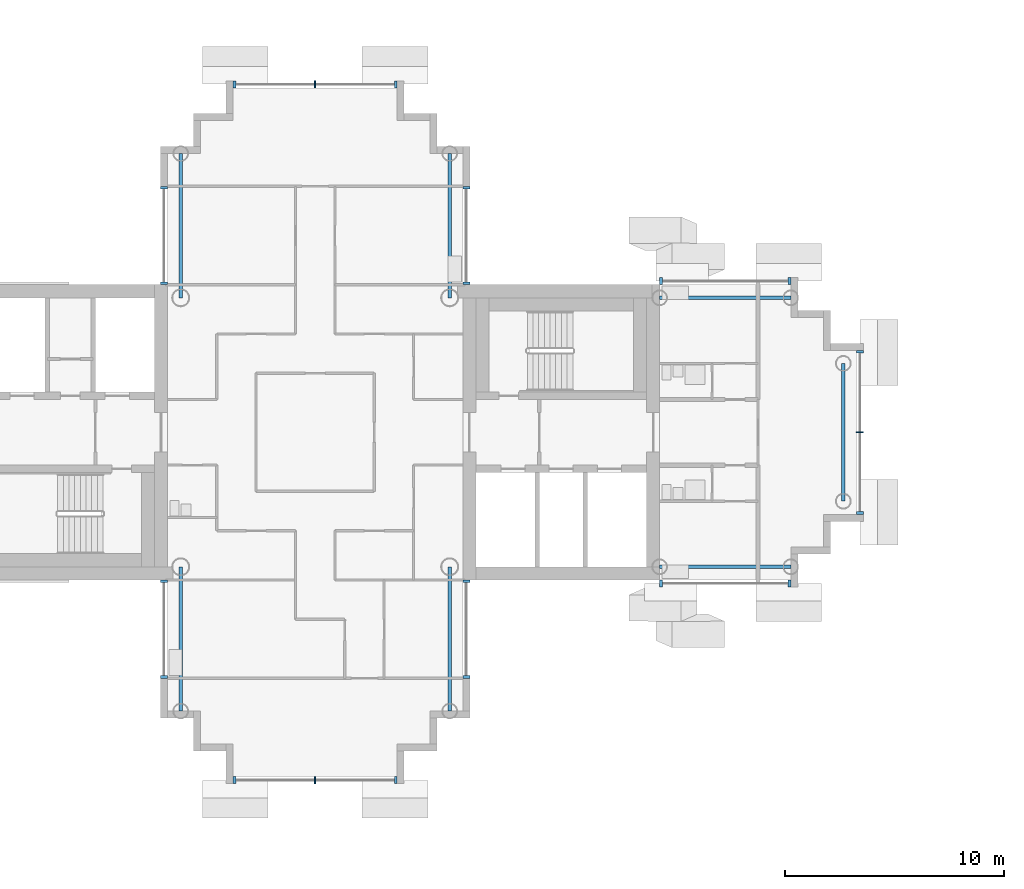
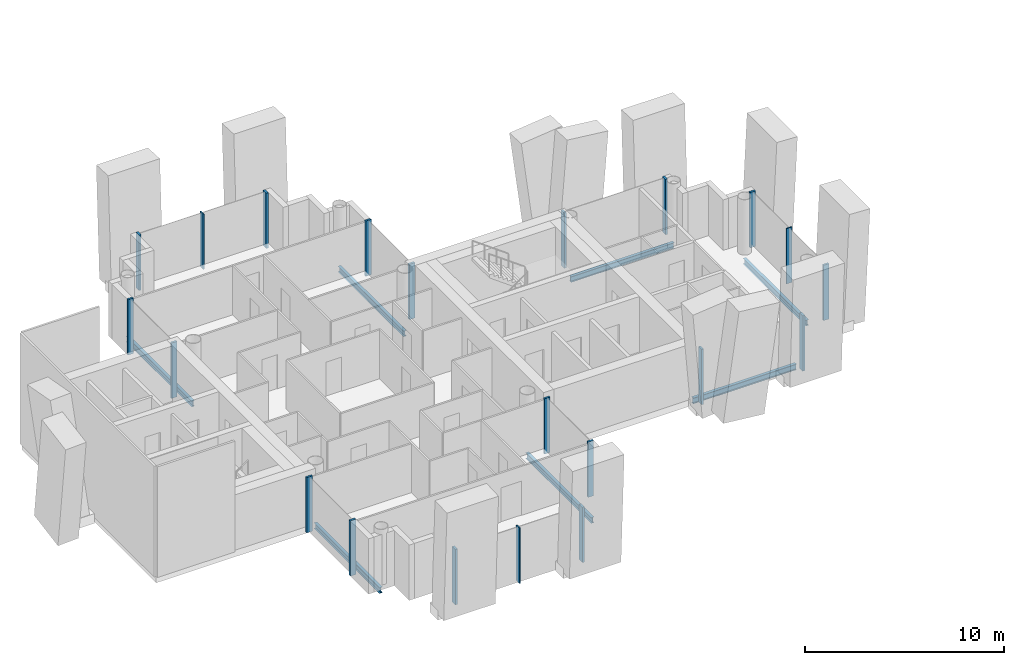
# One storey, part 3 of 18: 21 members, 7 beams, 9 elements without a shape of their own.
"""IFC4 building model written with IfcOpenShell, lengths in metres."""

import ifcopenshell
import ifcopenshell.guid

model = None  # the IFC model being written
_history = None  # IfcOwnerHistory: only IFC2X3 demands one
_inside = {}  # id of a spatial element -> (the spatial element, [elements in it])
_under = {}  # id of a project, library or spatial element -> (it, [spatial elements below it])
_declared = {}  # id of a project -> (the project, [libraries it declares])
_typed = {}  # id of a type object -> (the type object, [elements of that type])
_made_of = {}  # id of a material, layer set ... -> (it, [elements and type objects made of it])


def new_model(schema):
    """Start an empty IFC model of exactly this schema.

    Asked for "IFC4X3", IfcOpenShell would pick the latest addendum, in which some entities
    have other attributes; the version numbers below select the first issue.
    IFC2X3 requires an IfcOwnerHistory on every rooted entity: one is made here for all.
    """
    global model, _history
    if schema == "IFC4X3":
        model = ifcopenshell.file(schema_version=(4, 3, 0, 0))
    else:
        model = ifcopenshell.file(schema=schema)
    _inside.clear()
    _under.clear()
    _declared.clear()
    _typed.clear()
    _made_of.clear()
    _history = None
    if model.schema == "IFC2X3":
        org = make("IfcOrganization", Name="unknown")
        user = make(
            "IfcPersonAndOrganization",
            ThePerson=make("IfcPerson", FamilyName="unknown"),
            TheOrganization=org,
        )
        app = make(
            "IfcApplication",
            ApplicationDeveloper=org,
            Version="unknown",
            ApplicationFullName="unknown",
            ApplicationIdentifier="unknown",
        )
        _history = make(
            "IfcOwnerHistory",
            OwningUser=user,
            OwningApplication=app,
            ChangeAction="ADDED",
            CreationDate=0,
        )
    return model


def make(cls, **values):
    """One entity of the class cls with the attributes given. An attribute that is None is left unset."""
    return model.create_entity(
        cls, **{name: value for name, value in values.items() if value is not None}
    )


def rooted(cls, **values):
    """An entity with a GlobalId (a new one), such as an element, a storey or a relation."""
    return make(cls, GlobalId=ifcopenshell.guid.new(), OwnerHistory=_history, **values)


def si_unit(unit_type, name, prefix=None):
    """IfcSIUnit, for example si_unit("LENGTHUNIT", "METRE", prefix="MILLI")."""
    return make("IfcSIUnit", UnitType=unit_type, Prefix=prefix, Name=name)


def assignment(units):
    """IfcUnitAssignment: the units of a project."""
    return None if units is None else make("IfcUnitAssignment", Units=units)


def point(xyz):
    """IfcCartesianPoint."""
    return None if xyz is None else make("IfcCartesianPoint", Coordinates=xyz)


def direction(xyz):
    """IfcDirection."""
    return None if xyz is None else make("IfcDirection", DirectionRatios=xyz)


def frame(location, z_axis=None, x_axis=None):
    """IfcAxis2Placement3D, a coordinate frame: its origin and axes. An axis left out is left unset."""
    return make(
        "IfcAxis2Placement3D",
        Location=point(location),
        Axis=direction(z_axis),
        RefDirection=direction(x_axis),
    )


def frame_2d(location, x_axis=None):
    """IfcAxis2Placement2D, a coordinate frame in the plane: its origin and x axis."""
    return make(
        "IfcAxis2Placement2D", Location=point(location), RefDirection=direction(x_axis)
    )


def origin():
    """The frame at (0, 0, 0) with its axes left unset."""
    return frame((0.0, 0.0, 0.0))


def origin_2d():
    """The frame at (0, 0) in the plane with its x axis left unset."""
    return frame_2d((0.0, 0.0))


def place(relative_to, where):
    """IfcLocalPlacement: puts the frame where relative to a parent placement (None: the world)."""
    return make(
        "IfcLocalPlacement", PlacementRelTo=relative_to, RelativePlacement=where
    )


def context(
    kind, dimensions, precision=None, world=None, true_north=None, identifier=None
):
    """IfcGeometricRepresentationContext, for example the 3D "Model" context."""
    return make(
        "IfcGeometricRepresentationContext",
        ContextIdentifier=identifier,
        ContextType=kind,
        CoordinateSpaceDimension=dimensions,
        Precision=precision,
        WorldCoordinateSystem=world,
        TrueNorth=true_north,
    )


def subcontext(parent, identifier, kind, view, scale=None):
    """IfcGeometricRepresentationSubContext, for example "Body" below "Model"."""
    return make(
        "IfcGeometricRepresentationSubContext",
        ContextIdentifier=identifier,
        ContextType=kind,
        ParentContext=parent,
        TargetScale=scale,
        TargetView=view,
    )


def project(units=None, contexts=None):
    """IfcProject with its units and contexts."""
    return rooted(
        "IfcProject",
        Name="project",
        RepresentationContexts=contexts,
        UnitsInContext=assignment(units),
    )


def spatial(cls, under=None, at=None, **own):
    """A site, building, storey or space (cls), placed at a placement, below another one or the project."""
    s = rooted(cls, ObjectPlacement=at, **own)
    if under is not None:
        _under.setdefault(under.id(), (under, []))[1].append(s)
    return s


def profile(cls, at=None, kind="AREA", **sizes):
    """A parametric profile (cls). Its sizes go by their IFC names, for example OverallWidth=200.0."""
    return make(cls, ProfileType=kind, Position=at, **sizes)


def rectangle(**sizes):
    """IfcRectangleProfileDef."""
    return profile("IfcRectangleProfileDef", **sizes)


def i_section(**sizes):
    """IfcIShapeProfileDef."""
    return profile("IfcIShapeProfileDef", **sizes)


def extrude(swept, where, along, depth):
    """IfcExtrudedAreaSolid: the profile swept, set in the frame where, extruded along a direction by depth."""
    return make(
        "IfcExtrudedAreaSolid",
        SweptArea=swept,
        Position=where,
        ExtrudedDirection=direction(along),
        Depth=depth,
    )


def shape(context_of_items, identifier, shape_type, items):
    """IfcShapeRepresentation: the items that make up one representation, for example the "Body"."""
    return make(
        "IfcShapeRepresentation",
        ContextOfItems=context_of_items,
        RepresentationIdentifier=identifier,
        RepresentationType=shape_type,
        Items=items,
    )


def material(Name=None, Category=None):
    """IfcMaterial."""
    return make("IfcMaterial", Name=Name, Category=Category)


def layer(
    of_material, thickness, ventilated=None, Name=None, Category=None, Priority=None
):
    """IfcMaterialLayer: one layer of a wall or slab, of a material (None: an air gap)."""
    return make(
        "IfcMaterialLayer",
        Material=of_material,
        LayerThickness=thickness,
        IsVentilated=ventilated,
        Name=Name,
        Category=Category,
        Priority=Priority,
    )


def layer_set(layers, Name=None):
    """IfcMaterialLayerSet."""
    return make("IfcMaterialLayerSet", MaterialLayers=layers, LayerSetName=Name)


def material_profile(
    of_material, cross_section, Name=None, Category=None, Priority=None
):
    """IfcMaterialProfile: a cross section and its material."""
    return make(
        "IfcMaterialProfile",
        Name=Name,
        Material=of_material,
        Profile=cross_section,
        Priority=Priority,
        Category=Category,
    )


def profile_set(profiles, Name=None, composite=None):
    """IfcMaterialProfileSet."""
    return make(
        "IfcMaterialProfileSet",
        Name=Name,
        MaterialProfiles=profiles,
        CompositeProfile=composite,
    )


def made_of(thing, what):
    """Note that an element or type object is made of a material, layer set ...; save() writes the relation."""
    if what is not None:
        _made_of.setdefault(what.id(), (what, []))[1].append(thing)
    return thing


def type_object(cls, material=None, **own):
    """A type object (cls), such as IfcWallType, which elements share."""
    return made_of(rooted(cls, **own), material)


def element(
    cls,
    number,
    at=None,
    inside=None,
    cuts=None,
    type_object=None,
    material=None,
    context=None,
    identifier="Body",
    shape_type=None,
    held_by="IfcProductDefinitionShape",
    body=None,
    shapes=None,
    **own,
):
    """One element of the class cls, such as IfcWall. Its Tag is "e" and its number.

    at: its placement. inside: the storey or other place that contains it. cuts: it is an
    opening in that element (IfcRelVoidsElement). A single representation is given by context,
    identifier, shape_type and body (its items); several are given by shapes. held_by: the class
    of the entity that holds the representations. save() writes the other relations.
    """
    e = rooted(cls, Tag="e%d" % number, ObjectPlacement=at, **own)
    if body is not None:
        shapes = [shape(context, identifier, shape_type, body)]
    if shapes is not None:
        e.Representation = make(held_by, Representations=shapes)
    if inside is not None:
        _inside.setdefault(inside.id(), (inside, []))[1].append(e)
    if cuts is not None:
        rooted(
            "IfcRelVoidsElement", RelatingBuildingElement=cuts, RelatedOpeningElement=e
        )
    if type_object is not None:
        _typed.setdefault(type_object.id(), (type_object, []))[1].append(e)
    return made_of(e, material)


def aggregate(whole, parts):
    """IfcRelAggregates: a whole, such as a stair, and the parts it consists of."""
    return rooted("IfcRelAggregates", RelatingObject=whole, RelatedObjects=parts)


def save(model, path):
    """Write the relations noted so far, then the file.

    IfcRelAggregates (storeys below a building ...), IfcRelContainedInSpatialStructure (elements
    in a storey), IfcRelDefinesByType, IfcRelAssociatesMaterial and IfcRelDeclares: one each for
    every whole, place, type object, material and project.
    """
    for whole, parts in _under.values():
        aggregate(whole, parts)
    for where, things in _inside.values():
        rooted(
            "IfcRelContainedInSpatialStructure",
            RelatedElements=things,
            RelatingStructure=where,
        )
    for kind, things in _typed.values():
        rooted("IfcRelDefinesByType", RelatedObjects=things, RelatingType=kind)
    for what, things in _made_of.values():
        rooted("IfcRelAssociatesMaterial", RelatedObjects=things, RelatingMaterial=what)
    for by, libraries in _declared.values():
        rooted("IfcRelDeclares", RelatingContext=by, RelatedDefinitions=libraries)
    model.write(path)


model = new_model("IFC4")

# Units and contexts
model_context = context("Model", 3, precision=1e-05, world=origin(), true_north=direction((0.0, 1.0)))
body_context = subcontext(model_context, "Body", "Model", "MODEL_VIEW")
ifc_project = project(units=[si_unit("LENGTHUNIT", "METRE"), si_unit("AREAUNIT", "SQUARE_METRE"), si_unit("VOLUMEUNIT", "CUBIC_METRE"), si_unit("PLANEANGLEUNIT", "RADIAN"), si_unit("MASSUNIT", "GRAM", prefix="KILO")], contexts=[model_context])

# Site, building, storey
site_placement = place(None, origin())
site = spatial("IfcSite", under=ifc_project, at=site_placement, CompositionType="ELEMENT")
building_placement = place(site_placement, origin())
building = spatial("IfcBuilding", under=site, at=building_placement, Name="Ipe Terrace Towers", CompositionType="ELEMENT")
storey_placement = place(building_placement, frame((0.0, 0.0, 209.60009765625)))
storey = spatial("IfcBuildingStorey", under=building, at=storey_placement, Name="L58", CompositionType="ELEMENT", Elevation=209.60009765625)

# Beams
ifc_material_1 = material(Name="Steel S355", Category="steel")
ifc_material_profile_1 = material_profile(ifc_material_1, i_section(OverallWidth=0.175048828125, OverallDepth=0.35009765625, WebThickness=0.007080078125, FlangeThickness=0.010986328125, at=origin_2d()), Name="H-350x175x7x11")
ifc_profile_set_1 = profile_set([ifc_material_profile_1], Name="Steel S355")
beam_type = type_object("IfcBeamType", Name="H04 EDGE BEAM H-350x175x7x11", PredefinedType="BEAM", material=ifc_profile_set_1)
for number, where, z_axis, x_axis, name in (
    (1, (-20.25, -6.14990234375, -0.5751953125), (1.0, 0.0, 0.0), (0.0, 1.0, 0.0), "Edge beam T1-EB-A01-A03"),
    (2, (-20.25, 6.14990234375, -0.5751953125), (1.0, 0.0, 0.0), (0.0, 1.0, 0.0), "Edge beam T1-EB-A02-A04"),
):
    element("IfcBeam", number, at=place(storey_placement, frame(where, z_axis=z_axis, x_axis=x_axis)), inside=storey, type_object=beam_type, Name=name, PredefinedType="BEAM", context=body_context, shape_type="SweptSolid", body=[
        extrude(i_section(OverallWidth=0.175048828125, OverallDepth=0.35009765625, WebThickness=0.007080078125, FlangeThickness=0.010986328125, at=origin_2d()), origin(), (0.0, 0.0, 1.0), 6.0),
    ])
beam_placement = place(storey_placement, frame((-11.85009765625, -3.14990234375, -0.5751953125), z_axis=(0.0, 1.0, 0.0), x_axis=(-1.0, 0.0, 0.0)))
element("IfcBeam", 3, at=beam_placement, inside=storey, type_object=beam_type, Name="Edge beam T1-EB-A05-A06", PredefinedType="BEAM", context=body_context, shape_type="SweptSolid", body=[
    extrude(i_section(OverallWidth=0.175048828125, OverallDepth=0.35009765625, WebThickness=0.007080078125, FlangeThickness=0.010986328125, at=origin_2d()), origin(), (0.0, 0.0, 1.0), 6.2998046875),
])
for number, where, z_axis, x_axis, name in (
    (4, (-29.85009765625, 12.75, -0.5751953125), (0.0, -1.0, 0.0), (1.0, 0.0, 0.0), "Edge beam T1-EB-B01-E03"),
    (5, (-42.14990234375, 12.75, -0.5751953125), (0.0, -1.0, 0.0), (1.0, 0.0, 0.0), "Edge beam T1-EB-B02-E04"),
    (6, (-42.14990234375, -12.75, -0.5751953125), (0.0, 1.0, 0.0), (-1.0, 0.0, 0.0), "Edge beam T1-EB-D01-E01"),
    (7, (-29.85009765625, -12.75, -0.5751953125), (0.0, 1.0, 0.0), (-1.0, 0.0, 0.0), "Edge beam T1-EB-D02-E02"),
):
    element("IfcBeam", number, at=place(storey_placement, frame(where, z_axis=z_axis, x_axis=x_axis)), inside=storey, type_object=beam_type, Name=name, PredefinedType="BEAM", context=body_context, shape_type="SweptSolid", body=[
        extrude(i_section(OverallWidth=0.175048828125, OverallDepth=0.35009765625, WebThickness=0.007080078125, FlangeThickness=0.010986328125, at=origin_2d()), origin(), (0.0, 0.0, 1.0), 6.60009765625),
    ])

# Curtain wall, members
ifc_material_2 = material(Name="Aluminium alloy 6063-T6", Category="aluminium")
ifc_layer = layer(ifc_material_2, 0.320068359375)
ifc_layer_set = layer_set([ifc_layer], Name="TOWER UNITISED CURTAIN WALL")
curtain_wall_type = type_object("IfcCurtainWallType", Name="TOWER UNITISED CURTAIN WALL", PredefinedType="NOTDEFINED", material=ifc_layer_set)
curtain_wall_1_placement = place(storey_placement, origin())
curtain_wall_1 = element("IfcCurtainWall", 8, at=curtain_wall_1_placement, inside=storey, type_object=curtain_wall_type, Name="T1-CW-L58-02a curtain wall", PredefinedType="NOTDEFINED")
ifc_material_3 = material(Name="Aluminium alloy 6063-T6", Category="aluminium")
ifc_material_profile_2 = material_profile(ifc_material_3, rectangle(XDim=0.320068359375, YDim=0.1201171875, at=origin_2d()), Name="TOWER UNITISED CORNER MULLION 320 x 120")
ifc_profile_set_2 = profile_set([ifc_material_profile_2], Name="Aluminium alloy 6063-T6")
member_type_1 = type_object("IfcMemberType", Name="TOWER UNITISED CORNER MULLION 320 x 120", PredefinedType="MULLION", material=ifc_profile_set_2)
member_1_placement = place(storey_placement, frame((-42.909912109375, -6.81005859375, -0.300048828125), z_axis=(0.0, 0.0, 1.0), x_axis=(-1.0, 0.0, 0.0)))
member_1 = element("IfcMember", 9, at=member_1_placement, type_object=member_type_1, Name="T1-CW-L58-02a mullion 1", PredefinedType="MULLION", context=body_context, shape_type="SweptSolid", body=[
    extrude(rectangle(XDim=0.320068359375, YDim=0.1201171875, at=origin_2d()), origin(), (0.0, 0.0, 1.0), 3.39990234375),
])
member_2_placement = place(storey_placement, frame((-42.909912109375, -11.18994140625, -0.300048828125), z_axis=(0.0, 0.0, 1.0), x_axis=(-1.0, 0.0, 0.0)))
member_2 = element("IfcMember", 10, at=member_2_placement, type_object=member_type_1, Name="T1-CW-L58-02a mullion 2", PredefinedType="MULLION", context=body_context, shape_type="SweptSolid", body=[
    extrude(rectangle(XDim=0.320068359375, YDim=0.1201171875, at=origin_2d()), origin(), (0.0, 0.0, 1.0), 3.39990234375),
])
aggregate(curtain_wall_1, [member_1, member_2])

curtain_wall_2_placement = place(storey_placement, origin())
curtain_wall_2 = element("IfcCurtainWall", 11, at=curtain_wall_2_placement, inside=storey, type_object=curtain_wall_type, Name="T1-CW-L58-08a curtain wall", PredefinedType="NOTDEFINED")
member_3_placement = place(storey_placement, frame((-39.68994140625, -15.909912109375, -0.300048828125), z_axis=(0.0, 0.0, 1.0), x_axis=(0.0, -1.0, 0.0)))
member_3 = element("IfcMember", 12, at=member_3_placement, type_object=member_type_1, Name="T1-CW-L58-08a mullion 1", PredefinedType="MULLION", context=body_context, shape_type="SweptSolid", body=[
    extrude(rectangle(XDim=0.320068359375, YDim=0.1201171875, at=origin_2d()), origin(), (0.0, 0.0, 1.0), 3.39990234375),
])
member_4_placement = place(storey_placement, frame((-32.31005859375, -15.909912109375, -0.300048828125), z_axis=(0.0, 0.0, 1.0), x_axis=(0.0, -1.0, 0.0)))
member_4 = element("IfcMember", 13, at=member_4_placement, type_object=member_type_1, Name="T1-CW-L58-08a mullion 3", PredefinedType="MULLION", context=body_context, shape_type="SweptSolid", body=[
    extrude(rectangle(XDim=0.320068359375, YDim=0.1201171875, at=origin_2d()), origin(), (0.0, 0.0, 1.0), 3.39990234375),
])

curtain_wall_3_placement = place(storey_placement, origin())
curtain_wall_3 = element("IfcCurtainWall", 14, at=curtain_wall_3_placement, inside=storey, type_object=curtain_wall_type, Name="T1-CW-L58-14a curtain wall", PredefinedType="NOTDEFINED")
member_5_placement = place(storey_placement, frame((-29.090087890625, -11.18994140625, -0.300048828125), z_axis=(0.0, 0.0, 1.0), x_axis=(1.0, 0.0, 0.0)))
member_5 = element("IfcMember", 15, at=member_5_placement, type_object=member_type_1, Name="T1-CW-L58-14a mullion 1", PredefinedType="MULLION", context=body_context, shape_type="SweptSolid", body=[
    extrude(rectangle(XDim=0.320068359375, YDim=0.1201171875, at=origin_2d()), origin(), (0.0, 0.0, 1.0), 3.39990234375),
])
member_6_placement = place(storey_placement, frame((-29.090087890625, -6.81005859375, -0.300048828125), z_axis=(0.0, 0.0, 1.0), x_axis=(1.0, 0.0, 0.0)))
member_6 = element("IfcMember", 16, at=member_6_placement, type_object=member_type_1, Name="T1-CW-L58-14a mullion 2", PredefinedType="MULLION", context=body_context, shape_type="SweptSolid", body=[
    extrude(rectangle(XDim=0.320068359375, YDim=0.1201171875, at=origin_2d()), origin(), (0.0, 0.0, 1.0), 3.39990234375),
])
aggregate(curtain_wall_3, [member_5, member_6])

curtain_wall_4_placement = place(storey_placement, origin())
curtain_wall_4 = element("IfcCurtainWall", 17, at=curtain_wall_4_placement, inside=storey, type_object=curtain_wall_type, Name="T1-CW-L58-16b curtain wall", PredefinedType="NOTDEFINED")
member_7_placement = place(storey_placement, frame((-20.18896484375, -6.909912109375, -0.300048828125), z_axis=(0.0, 0.0, 1.0), x_axis=(0.0, -1.0, 0.0)))
member_7 = element("IfcMember", 18, at=member_7_placement, type_object=member_type_1, Name="T1-CW-L58-16b mullion 1", PredefinedType="MULLION", context=body_context, shape_type="SweptSolid", body=[
    extrude(rectangle(XDim=0.320068359375, YDim=0.1201171875, at=origin_2d()), origin(), (0.0, 0.0, 1.0), 3.39990234375),
])
member_8_placement = place(storey_placement, frame((-14.31005859375, -6.909912109375, -0.300048828125), z_axis=(0.0, 0.0, 1.0), x_axis=(0.0, -1.0, 0.0)))
member_8 = element("IfcMember", 19, at=member_8_placement, type_object=member_type_1, Name="T1-CW-L58-16b mullion 2", PredefinedType="MULLION", context=body_context, shape_type="SweptSolid", body=[
    extrude(rectangle(XDim=0.320068359375, YDim=0.1201171875, at=origin_2d()), origin(), (0.0, 0.0, 1.0), 3.39990234375),
])
aggregate(curtain_wall_4, [member_7, member_8])

curtain_wall_5_placement = place(storey_placement, origin())
curtain_wall_5 = element("IfcCurtainWall", 20, at=curtain_wall_5_placement, inside=storey, type_object=curtain_wall_type, Name="T1-CW-L58-21a curtain wall", PredefinedType="NOTDEFINED")
member_9_placement = place(storey_placement, frame((-11.090087890625, -3.68994140625, -0.300048828125), z_axis=(0.0, 0.0, 1.0), x_axis=(1.0, 0.0, 0.0)))
member_9 = element("IfcMember", 21, at=member_9_placement, type_object=member_type_1, Name="T1-CW-L58-21a mullion 1", PredefinedType="MULLION", context=body_context, shape_type="SweptSolid", body=[
    extrude(rectangle(XDim=0.320068359375, YDim=0.1201171875, at=origin_2d()), origin(), (0.0, 0.0, 1.0), 3.39990234375),
])
member_10_placement = place(storey_placement, frame((-11.090087890625, 3.68994140625, -0.300048828125), z_axis=(0.0, 0.0, 1.0), x_axis=(1.0, 0.0, 0.0)))
member_10 = element("IfcMember", 22, at=member_10_placement, type_object=member_type_1, Name="T1-CW-L58-21a mullion 3", PredefinedType="MULLION", context=body_context, shape_type="SweptSolid", body=[
    extrude(rectangle(XDim=0.320068359375, YDim=0.1201171875, at=origin_2d()), origin(), (0.0, 0.0, 1.0), 3.39990234375),
])

curtain_wall_6_placement = place(storey_placement, origin())
curtain_wall_6 = element("IfcCurtainWall", 23, at=curtain_wall_6_placement, inside=storey, type_object=curtain_wall_type, Name="T1-CW-L58-26a curtain wall", PredefinedType="NOTDEFINED")
member_11_placement = place(storey_placement, frame((-14.31005859375, 6.909912109375, -0.300048828125), z_axis=(0.0, 0.0, 1.0), x_axis=(0.0, 1.0, 0.0)))
member_11 = element("IfcMember", 24, at=member_11_placement, type_object=member_type_1, Name="T1-CW-L58-26a mullion 1", PredefinedType="MULLION", context=body_context, shape_type="SweptSolid", body=[
    extrude(rectangle(XDim=0.320068359375, YDim=0.1201171875, at=origin_2d()), origin(), (0.0, 0.0, 1.0), 3.39990234375),
])
member_12_placement = place(storey_placement, frame((-20.18896484375, 6.909912109375, -0.300048828125), z_axis=(0.0, 0.0, 1.0), x_axis=(0.0, 1.0, 0.0)))
member_12 = element("IfcMember", 25, at=member_12_placement, type_object=member_type_1, Name="T1-CW-L58-26a mullion 2", PredefinedType="MULLION", context=body_context, shape_type="SweptSolid", body=[
    extrude(rectangle(XDim=0.320068359375, YDim=0.1201171875, at=origin_2d()), origin(), (0.0, 0.0, 1.0), 3.39990234375),
])
aggregate(curtain_wall_6, [member_11, member_12])

curtain_wall_7_placement = place(storey_placement, origin())
curtain_wall_7 = element("IfcCurtainWall", 26, at=curtain_wall_7_placement, inside=storey, type_object=curtain_wall_type, Name="T1-CW-L58-28a curtain wall", PredefinedType="NOTDEFINED")
member_13_placement = place(storey_placement, frame((-29.090087890625, 6.81005859375, -0.300048828125), z_axis=(0.0, 0.0, 1.0), x_axis=(1.0, 0.0, 0.0)))
member_13 = element("IfcMember", 27, at=member_13_placement, type_object=member_type_1, Name="T1-CW-L58-28a mullion 1", PredefinedType="MULLION", context=body_context, shape_type="SweptSolid", body=[
    extrude(rectangle(XDim=0.320068359375, YDim=0.1201171875, at=origin_2d()), origin(), (0.0, 0.0, 1.0), 3.39990234375),
])
member_14_placement = place(storey_placement, frame((-29.090087890625, 11.18994140625, -0.300048828125), z_axis=(0.0, 0.0, 1.0), x_axis=(1.0, 0.0, 0.0)))
member_14 = element("IfcMember", 28, at=member_14_placement, type_object=member_type_1, Name="T1-CW-L58-28a mullion 2", PredefinedType="MULLION", context=body_context, shape_type="SweptSolid", body=[
    extrude(rectangle(XDim=0.320068359375, YDim=0.1201171875, at=origin_2d()), origin(), (0.0, 0.0, 1.0), 3.39990234375),
])
aggregate(curtain_wall_7, [member_13, member_14])

curtain_wall_8_placement = place(storey_placement, origin())
curtain_wall_8 = element("IfcCurtainWall", 29, at=curtain_wall_8_placement, inside=storey, type_object=curtain_wall_type, Name="T1-CW-L58-34a curtain wall", PredefinedType="NOTDEFINED")
member_15_placement = place(storey_placement, frame((-32.31005859375, 15.909912109375, -0.300048828125), z_axis=(0.0, 0.0, 1.0), x_axis=(0.0, 1.0, 0.0)))
member_15 = element("IfcMember", 30, at=member_15_placement, type_object=member_type_1, Name="T1-CW-L58-34a mullion 1", PredefinedType="MULLION", context=body_context, shape_type="SweptSolid", body=[
    extrude(rectangle(XDim=0.320068359375, YDim=0.1201171875, at=origin_2d()), origin(), (0.0, 0.0, 1.0), 3.39990234375),
])
member_16_placement = place(storey_placement, frame((-39.68994140625, 15.909912109375, -0.300048828125), z_axis=(0.0, 0.0, 1.0), x_axis=(0.0, 1.0, 0.0)))
member_16 = element("IfcMember", 31, at=member_16_placement, type_object=member_type_1, Name="T1-CW-L58-34a mullion 3", PredefinedType="MULLION", context=body_context, shape_type="SweptSolid", body=[
    extrude(rectangle(XDim=0.320068359375, YDim=0.1201171875, at=origin_2d()), origin(), (0.0, 0.0, 1.0), 3.39990234375),
])

curtain_wall_9_placement = place(storey_placement, origin())
curtain_wall_9 = element("IfcCurtainWall", 32, at=curtain_wall_9_placement, inside=storey, type_object=curtain_wall_type, Name="T1-CW-L58-40a curtain wall", PredefinedType="NOTDEFINED")
member_17_placement = place(storey_placement, frame((-42.909912109375, 11.18994140625, -0.300048828125), z_axis=(0.0, 0.0, 1.0), x_axis=(-1.0, 0.0, 0.0)))
member_17 = element("IfcMember", 33, at=member_17_placement, type_object=member_type_1, Name="T1-CW-L58-40a mullion 1", PredefinedType="MULLION", context=body_context, shape_type="SweptSolid", body=[
    extrude(rectangle(XDim=0.320068359375, YDim=0.1201171875, at=origin_2d()), origin(), (0.0, 0.0, 1.0), 3.39990234375),
])
member_18_placement = place(storey_placement, frame((-42.909912109375, 6.81005859375, -0.300048828125), z_axis=(0.0, 0.0, 1.0), x_axis=(-1.0, 0.0, 0.0)))
member_18 = element("IfcMember", 34, at=member_18_placement, type_object=member_type_1, Name="T1-CW-L58-40a mullion 2", PredefinedType="MULLION", context=body_context, shape_type="SweptSolid", body=[
    extrude(rectangle(XDim=0.320068359375, YDim=0.1201171875, at=origin_2d()), origin(), (0.0, 0.0, 1.0), 3.39990234375),
])
aggregate(curtain_wall_9, [member_17, member_18])

# Member
ifc_material_4 = material(Name="Aluminium alloy 6063-T6", Category="aluminium")
ifc_material_profile_3 = material_profile(ifc_material_4, rectangle(XDim=0.320068359375, YDim=0.06494140625, at=origin_2d()), Name="TOWER UNITISED MULLION 320 x 65")
ifc_profile_set_3 = profile_set([ifc_material_profile_3], Name="Aluminium alloy 6063-T6")
member_type_2 = type_object("IfcMemberType", Name="TOWER UNITISED MULLION 320 x 65", PredefinedType="MULLION", material=ifc_profile_set_3)
member_19_placement = place(storey_placement, frame((-36.0, -15.909912109375, -0.300048828125), z_axis=(0.0, 0.0, 1.0), x_axis=(0.0, -1.0, 0.0)))
member_19 = element("IfcMember", 35, at=member_19_placement, type_object=member_type_2, Name="T1-CW-L58-08a mullion 2", PredefinedType="MULLION", context=body_context, shape_type="SweptSolid", body=[
    extrude(rectangle(XDim=0.320068359375, YDim=0.06494140625, at=origin_2d()), origin(), (0.0, 0.0, 1.0), 3.39990234375),
])

aggregate(curtain_wall_2, [member_3, member_19, member_4])

member_20_placement = place(storey_placement, frame((-11.090087890625, 0.0, -0.300048828125), z_axis=(0.0, 0.0, 1.0), x_axis=(1.0, 0.0, 0.0)))
member_20 = element("IfcMember", 36, at=member_20_placement, type_object=member_type_2, Name="T1-CW-L58-21a mullion 2", PredefinedType="MULLION", context=body_context, shape_type="SweptSolid", body=[
    extrude(rectangle(XDim=0.320068359375, YDim=0.06494140625, at=origin_2d()), origin(), (0.0, 0.0, 1.0), 3.39990234375),
])

aggregate(curtain_wall_5, [member_9, member_20, member_10])

member_21_placement = place(storey_placement, frame((-36.0, 15.909912109375, -0.300048828125), z_axis=(0.0, 0.0, 1.0), x_axis=(0.0, 1.0, 0.0)))
member_21 = element("IfcMember", 37, at=member_21_placement, type_object=member_type_2, Name="T1-CW-L58-34a mullion 2", PredefinedType="MULLION", context=body_context, shape_type="SweptSolid", body=[
    extrude(rectangle(XDim=0.320068359375, YDim=0.06494140625, at=origin_2d()), origin(), (0.0, 0.0, 1.0), 3.39990234375),
])

aggregate(curtain_wall_8, [member_15, member_21, member_16])

save(model, "model.ifc")
